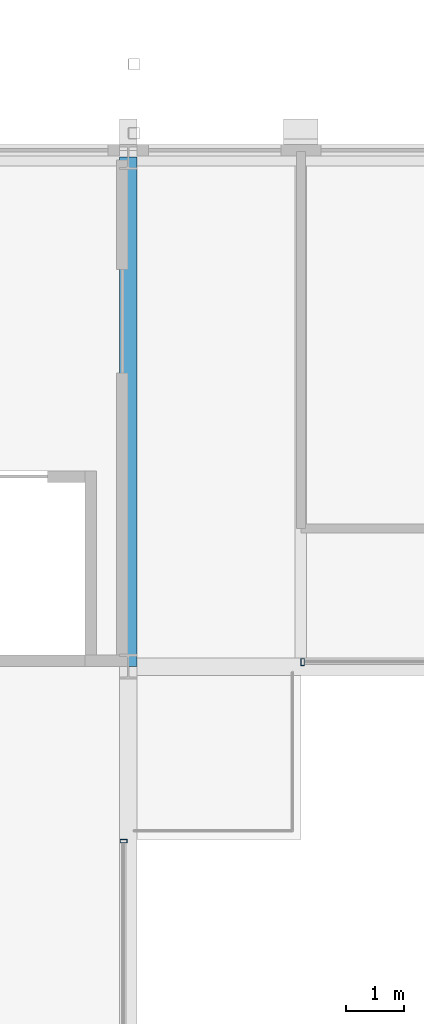
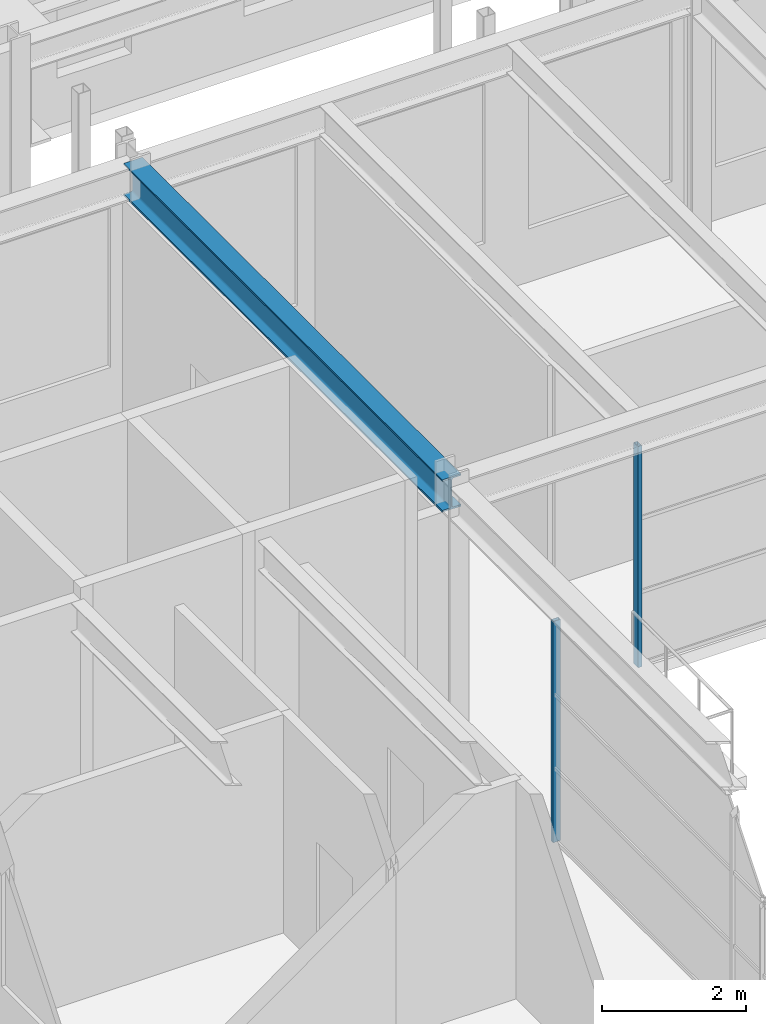
# One storey, part 58 of 153: 2 members, 1 beam, 2 elements without a shape of their own.
"""IFC4 building model written with IfcOpenShell, lengths in metres."""

from ifc_helpers import new_model, si_unit, direction, frame, origin, origin_2d, place, context, subcontext, project, spatial, hollow_rectangle, i_section, extrude, material, material_profile, profile_set, type_object, element, aggregate, save


model = new_model("IFC4")

# Units and contexts
model_context = context("Model", 3, precision=1e-05, world=origin(), true_north=direction((0.0, 1.0)))
body_context = subcontext(model_context, "Body", "Model", "MODEL_VIEW")
ifc_project = project(units=[si_unit("LENGTHUNIT", "METRE"), si_unit("AREAUNIT", "SQUARE_METRE"), si_unit("VOLUMEUNIT", "CUBIC_METRE"), si_unit("PLANEANGLEUNIT", "RADIAN"), si_unit("MASSUNIT", "GRAM", prefix="KILO")], contexts=[model_context])

# Site, building, storey
site_placement = place(None, origin())
site = spatial("IfcSite", under=ifc_project, at=site_placement, CompositionType="ELEMENT")
building_placement = place(site_placement, origin())
building = spatial("IfcBuilding", under=site, at=building_placement, Name="Kallimachos Central Library", CompositionType="ELEMENT")
storey_placement = place(building_placement, frame((0.0, 0.0, 5.39990234375)))
storey = spatial("IfcBuildingStorey", under=building, at=storey_placement, Name="L01", CompositionType="ELEMENT", Elevation=5.39990234375)

# Curtain wall, member
ifc_material_1 = material(Name="Aluminium and laminated glass", Category="aluminium")
curtain_wall_type = type_object("IfcCurtainWallType", Name="Atrium glazed screen", PredefinedType="NOTDEFINED", material=ifc_material_1)
curtain_wall_1_placement = place(storey_placement, origin())
curtain_wall_1 = element("IfcCurtainWall", 1, at=curtain_wall_1_placement, inside=storey, type_object=curtain_wall_type, Name="L01 atrium screen N", PredefinedType="NOTDEFINED")
ifc_material_2 = material(Name="Anodised aluminium", Category="aluminium")
ifc_material_profile_1 = material_profile(ifc_material_2, hollow_rectangle(XDim=0.06005859375, YDim=0.1201171875, WallThickness=0.00390625, at=origin_2d()), Name="ALU MULLION 60x120")
ifc_profile_set_1 = profile_set([ifc_material_profile_1], Name="Anodised aluminium")
member_type = type_object("IfcMemberType", Name="Atrium screen mullion", PredefinedType="MULLION", material=ifc_profile_set_1)
member_1_placement = place(storey_placement, frame((77.530029296875, 75.080078125, 0.0), z_axis=(0.0, 0.0, 1.0), x_axis=(1.0, 0.0, 0.0)))
member_1 = element("IfcMember", 2, at=member_1_placement, type_object=member_type, Name="CW mullion 1", PredefinedType="MULLION", context=body_context, shape_type="SweptSolid", body=[
    extrude(hollow_rectangle(XDim=0.06005859375, YDim=0.1201171875, WallThickness=0.00390625, at=origin_2d()), origin(), (0.0, 0.0, 1.0), 3.75),
])
aggregate(curtain_wall_1, [member_1])

curtain_wall_2_placement = place(storey_placement, origin())
curtain_wall_2 = element("IfcCurtainWall", 3, at=curtain_wall_2_placement, inside=storey, type_object=curtain_wall_type, Name="L01 atrium screen W", PredefinedType="NOTDEFINED")
member_2_placement = place(storey_placement, frame((74.419921875, 71.969970703125, 0.0), z_axis=(0.0, 0.0, 1.0), x_axis=(0.0, 1.0, 0.0)))
member_2 = element("IfcMember", 4, at=member_2_placement, type_object=member_type, Name="CW mullion 4", PredefinedType="MULLION", context=body_context, shape_type="SweptSolid", body=[
    extrude(hollow_rectangle(XDim=0.06005859375, YDim=0.1201171875, WallThickness=0.00390625, at=origin_2d()), origin(), (0.0, 0.0, 1.0), 3.75),
])
aggregate(curtain_wall_2, [member_2])

# Beam
ifc_material_3 = material(Name="Steel S355J2", Category="steel")
ifc_material_profile_2 = material_profile(ifc_material_3, i_section(OverallWidth=0.300048828125, OverallDepth=0.550048828125, WebThickness=0.014892578125, FlangeThickness=0.029052734375, FilletRadius=0.027099609375, at=origin_2d()), Name="HEB 550")
ifc_profile_set_2 = profile_set([ifc_material_profile_2], Name="Steel S355J2")
beam_type = type_object("IfcBeamType", Name="HEB 550 beam", PredefinedType="BEAM", material=ifc_profile_set_2)
beam_placement = place(storey_placement, frame((74.5, 75.0, 4.025146484375), z_axis=(0.0, 1.0, 0.0), x_axis=(-1.0, 0.0, 0.0)))
element("IfcBeam", 5, at=beam_placement, inside=storey, type_object=beam_type, Name="V4-BEM-L01-010", PredefinedType="BEAM", context=body_context, shape_type="SweptSolid", body=[
    extrude(i_section(OverallWidth=0.300048828125, OverallDepth=0.550048828125, WebThickness=0.014892578125, FlangeThickness=0.029052734375, FilletRadius=0.027099609375, at=origin_2d()), origin(), (0.0, 0.0, 1.0), 8.85009765625),
])

save(model, "model.ifc")
